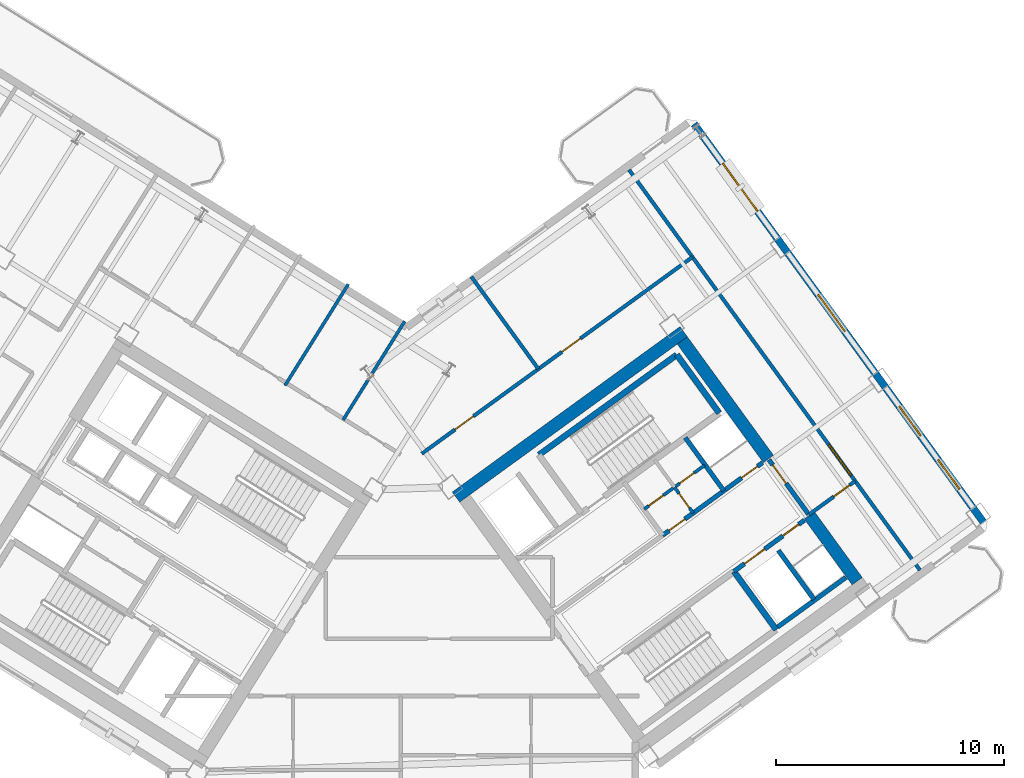
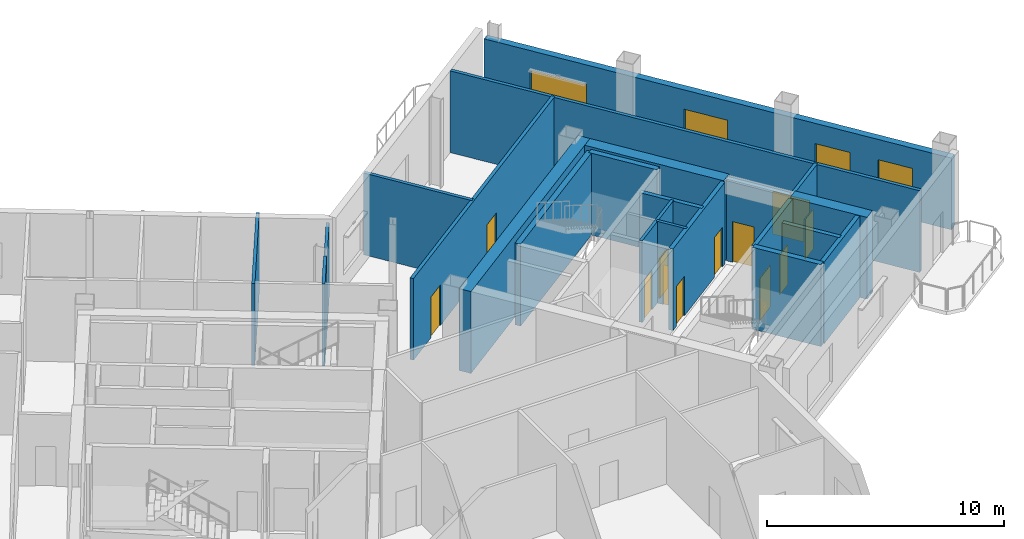
# One storey, part 14 of 20: 22 walls, 12 doors, 4 windows, 16 openings.
"""IFC4 building model written with IfcOpenShell, lengths in metres."""

from ifc_helpers import new_model, si_unit, direction, frame, frame_2d, origin, place, context, subcontext, project, spatial, rectangle, extrude, source, transform, mapped, material, layer, layer_set, type_object, element, fill, save


model = new_model("IFC4")

# Units and contexts
model_context = context("Model", 3, precision=1e-05, world=origin(), true_north=direction((0.0, 1.0)))
body_context = subcontext(model_context, "Body", "Model", "MODEL_VIEW")
ifc_project = project(units=[si_unit("LENGTHUNIT", "METRE"), si_unit("AREAUNIT", "SQUARE_METRE"), si_unit("VOLUMEUNIT", "CUBIC_METRE"), si_unit("PLANEANGLEUNIT", "RADIAN"), si_unit("MASSUNIT", "GRAM", prefix="KILO")], contexts=[model_context])

# Site, building, storey
site_placement = place(None, origin())
site = spatial("IfcSite", under=ifc_project, at=site_placement, CompositionType="ELEMENT")
building_placement = place(site_placement, origin())
building = spatial("IfcBuilding", under=site, at=building_placement, Name="Tlacorven Tower", CompositionType="ELEMENT")
storey_placement = place(building_placement, frame((0.0, 0.0, 195.0)))
storey = spatial("IfcBuildingStorey", under=building, at=storey_placement, Name="L49", CompositionType="ELEMENT", Elevation=195.0)

# Walls
ifc_material_1 = material(Name="Concrete C60/75", Category="concrete")
ifc_layer_1 = layer(ifc_material_1, 0.550048828125)
ifc_layer_set_1 = layer_set([ifc_layer_1], Name="Concrete C60/75")
wall_type_1 = type_object("IfcWallType", Name="WL-COR-550", PredefinedType="SHEAR", material=ifc_layer_set_1)
wall_1_placement = place(storey_placement, frame((44.364990234375, 24.142333984375, 0.0), z_axis=(0.0, 0.0, 1.0), x_axis=(0.809024304885, 0.587775190107, 0.0)))
element("IfcWall", 1, at=wall_1_placement, inside=storey, type_object=wall_type_1, Name="L49 E core shear wall S2", PredefinedType="SHEAR", context=body_context, shape_type="SweptSolid", body=[
    extrude(rectangle(XDim=12.340087890625, YDim=0.550048828125, at=frame_2d((6.169921875, 0.0))), origin(), (0.0, 0.0, 1.0), 4.219970703125),
])
wall_2_placement = place(storey_placement, frame((61.9580078125, 20.453857421875, 0.0), z_axis=(0.0, 0.0, 1.0), x_axis=(-0.587802113096, 0.809004744015, 0.0)))
element("IfcWall", 2, at=wall_2_placement, inside=storey, type_object=wall_type_1, Name="L49 E core end wall E2.1", PredefinedType="SHEAR", context=body_context, shape_type="SweptSolid", body=[
    extrude(rectangle(XDim=3.574951171875, YDim=0.550048828125, at=frame_2d((1.78759765625, 0.0))), origin(), (0.0, 0.0, 1.0), 4.219970703125),
])
wall_3_placement = place(storey_placement, frame((58.06396484375, 25.8134765625, 0.0), z_axis=(0.0, 0.0, 1.0), x_axis=(-0.587764933797, 0.809031756236, 0.0)))
element("IfcWall", 3, at=wall_3_placement, inside=storey, type_object=wall_type_1, Name="L49 E core end wall E2.2", PredefinedType="SHEAR", context=body_context, shape_type="SweptSolid", body=[
    extrude(rectangle(XDim=6.425048828125, YDim=0.550048828125, at=frame_2d((3.21240234375, 0.0))), origin(), (0.0, 0.0, 1.0), 4.219970703125),
])

# Wall, opening, door
ifc_material_2 = material(Name="Gypsum plasterboard acoustic partition", Category="gypsum")
ifc_layer_2 = layer(ifc_material_2, 0.159912109375)
ifc_layer_set_2 = layer_set([ifc_layer_2], Name="Gypsum plasterboard acoustic partition")
wall_type_2 = type_object("IfcWallType", Name="WL-DEM-160", PredefinedType="PARTITIONING", material=ifc_layer_set_2)
wall_4_placement = place(storey_placement, frame((64.708740234375, 20.93798828125, 0.0), z_axis=(0.0, 0.0, 1.0), x_axis=(-0.58777828151, 0.809022058899, 0.0)))
wall_4 = element("IfcWall", 4, at=wall_4_placement, inside=storey, type_object=wall_type_2, Name="L49 partition 79", PredefinedType="PARTITIONING", context=body_context, shape_type="SweptSolid", body=[
    extrude(rectangle(XDim=21.7001953125, YDim=0.159912109375, at=frame_2d((10.85009765625, 0.0))), origin(), (0.0, 0.0, 1.0), 4.2099609375),
])
opening_1_placement = place(wall_4_placement, frame((5.1201171875, 0.0, 0.0)))
opening_1 = element("IfcOpeningElement", 5, at=opening_1_placement, cuts=wall_4, Name="Opening D17", PredefinedType="OPENING", context=body_context, shape_type="SweptSolid", body=[
    extrude(rectangle(XDim=1.699951171875, YDim=2.199951171875, at=frame_2d((0.85009765625, 1.10009765625))), frame((0.0, 0.08984375, 0.0), z_axis=(0.0, -1.0, 0.0), x_axis=(1.0, 0.0, 0.0)), (0.0, 0.0, 1.0), 0.179931640625),
])
ifc_material_3 = material(Name="Fire-rated steel door assembly", Category="steel")
door_type_1 = type_object("IfcDoorType", Name="DR-COM-HALL-1700", OperationType="DOUBLE_DOOR_SINGLE_SWING", PredefinedType="DOOR", material=ifc_material_3)
shared_shape_1 = source(origin(), body_context, "Body", "SweptSolid", [
    extrude(rectangle(XDim=1.699951171875, YDim=2.199951171875, at=frame_2d((0.85009765625, 1.10009765625))), frame((0.0, 0.02490234375, 0.0), z_axis=(0.0, -1.0, 0.0), x_axis=(1.0, 0.0, 0.0)), (0.0, 0.0, 1.0), 0.050048828125),
])
door_1_placement = place(opening_1_placement, origin())
door_1 = element("IfcDoor", 6, at=door_1_placement, inside=storey, type_object=door_type_1, Name="L49 door 050", OperationType="DOUBLE_DOOR_SINGLE_SWING", OverallHeight=2.199951171875, OverallWidth=1.699951171875, PredefinedType="DOOR", context=body_context, shape_type="MappedRepresentation", body=[
    mapped(shared_shape_1, transform((0.0, 0.0, 0.0), scale=1.0)),
])
fill(opening_1, door_1)

wall_5_placement = place(storey_placement, frame((59.839111328125, 23.370361328125, 0.0), z_axis=(0.0, 0.0, 1.0), x_axis=(0.809000999347, 0.58780726693, 0.0)))
wall_5 = element("IfcWall", 7, at=wall_5_placement, inside=storey, type_object=wall_type_2, Name="L49 partition 80", PredefinedType="PARTITIONING", context=body_context, shape_type="SweptSolid", body=[
    extrude(rectangle(XDim=2.510009765625, YDim=0.159912109375, at=frame_2d((1.2548828125, 0.0))), origin(), (0.0, 0.0, 1.0), 4.2099609375),
])
opening_2_placement = place(wall_5_placement, frame((1.35009765625, 0.0, 0.0)))
opening_2 = element("IfcOpeningElement", 8, at=opening_2_placement, cuts=wall_5, Name="Opening D19", PredefinedType="OPENING", context=body_context, shape_type="SweptSolid", body=[
    extrude(rectangle(XDim=0.860107421875, YDim=2.050048828125, at=frame_2d((0.43017578125, 1.02490234375))), frame((0.0, 0.08984375, 0.0), z_axis=(0.0, -1.0, 0.0), x_axis=(1.0, 0.0, 0.0)), (0.0, 0.0, 1.0), 0.179931640625),
])
door_type_2 = type_object("IfcDoorType", Name="DR-RSR-FD60-0860", OperationType="NOTDEFINED", PredefinedType="DOOR", material=ifc_material_3)
shared_shape_2 = source(origin(), body_context, "Body", "SweptSolid", [
    extrude(rectangle(XDim=0.860107421875, YDim=2.050048828125, at=frame_2d((0.43017578125, 1.02490234375))), frame((0.0, 0.02490234375, 0.0), z_axis=(0.0, -1.0, 0.0), x_axis=(1.0, 0.0, 0.0)), (0.0, 0.0, 1.0), 0.050048828125),
])
door_2_placement = place(opening_2_placement, frame((0.860107421875, 0.0, 0.0), z_axis=(0.0, 0.0, 1.0), x_axis=(-1.0, 0.0, 0.0)))
door_2 = element("IfcDoor", 9, at=door_2_placement, inside=storey, type_object=door_type_2, Name="L49 door 048", OperationType="SINGLE_SWING_RIGHT", OverallHeight=2.050048828125, OverallWidth=0.860107421875, PredefinedType="DOOR", context=body_context, shape_type="MappedRepresentation", body=[
    mapped(shared_shape_2, transform((0.0, 0.0, 0.0), scale=1.0)),
])
fill(opening_2, door_2)

# Wall, openings, doors
wall_6_placement = place(storey_placement, frame((42.86572265625, 26.04443359375, 0.0), z_axis=(0.0, 0.0, 1.0), x_axis=(0.809020254154, 0.587780765566, 0.0)))
wall_6 = element("IfcWall", 10, at=wall_6_placement, inside=storey, type_object=wall_type_2, Name="L49 partition 82", PredefinedType="PARTITIONING", context=body_context, shape_type="SweptSolid", body=[
    extrude(rectangle(XDim=14.670166015625, YDim=0.159912109375, at=frame_2d((7.3349609375, 0.0))), origin(), (0.0, 0.0, 1.0), 4.2099609375),
])
opening_3_placement = place(wall_6_placement, frame((1.800048828125, 0.0, 0.0)))
opening_3 = element("IfcOpeningElement", 11, at=opening_3_placement, cuts=wall_6, Name="Opening D11", PredefinedType="OPENING", context=body_context, shape_type="SweptSolid", body=[
    extrude(rectangle(XDim=1.0, YDim=2.10009765625, at=frame_2d((0.5, 1.050048828125))), frame((0.0, 0.08984375, 0.0), z_axis=(0.0, -1.0, 0.0), x_axis=(1.0, 0.0, 0.0)), (0.0, 0.0, 1.0), 0.179931640625),
])
opening_4_placement = place(wall_6_placement, frame((7.60009765625, 0.0, 0.0)))
opening_4 = element("IfcOpeningElement", 12, at=opening_4_placement, cuts=wall_6, Name="Opening D11", PredefinedType="OPENING", context=body_context, shape_type="SweptSolid", body=[
    extrude(rectangle(XDim=1.0, YDim=2.10009765625, at=frame_2d((0.5, 1.050048828125))), frame((0.0, 0.08984375, 0.0), z_axis=(0.0, -1.0, 0.0), x_axis=(1.0, 0.0, 0.0)), (0.0, 0.0, 1.0), 0.179931640625),
])
door_type_3 = type_object("IfcDoorType", Name="DR-FLT-FD60-1000", OperationType="NOTDEFINED", PredefinedType="DOOR", material=ifc_material_3)
shared_shape_3 = source(origin(), body_context, "Body", "SweptSolid", [
    extrude(rectangle(XDim=1.0, YDim=2.10009765625, at=frame_2d((0.5, 1.050048828125))), frame((0.0, 0.02490234375, 0.0), z_axis=(0.0, -1.0, 0.0), x_axis=(1.0, 0.0, 0.0)), (0.0, 0.0, 1.0), 0.050048828125),
])
door_3_placement = place(opening_3_placement, origin())
door_3 = element("IfcDoor", 13, at=door_3_placement, inside=storey, type_object=door_type_3, Name="L49 door 051", OperationType="SINGLE_SWING_RIGHT", OverallHeight=2.10009765625, OverallWidth=1.0, PredefinedType="DOOR", context=body_context, shape_type="MappedRepresentation", body=[
    mapped(shared_shape_3, transform((0.0, 0.0, 0.0), scale=1.0)),
])
fill(opening_3, door_3)
door_4_placement = place(opening_4_placement, origin())
door_4 = element("IfcDoor", 14, at=door_4_placement, inside=storey, type_object=door_type_3, Name="L49 door 052", OperationType="SINGLE_SWING_LEFT", OverallHeight=2.10009765625, OverallWidth=1.0, PredefinedType="DOOR", context=body_context, shape_type="MappedRepresentation", body=[
    mapped(shared_shape_3, transform((0.0, 0.0, 0.0), scale=1.0)),
])
fill(opening_4, door_4)

# Wall
wall_7_placement = place(storey_placement, frame((47.978759765625, 29.759033203125, 0.0), z_axis=(0.0, 0.0, 1.0), x_axis=(-0.587782595105, 0.809018924928, 0.0)))
element("IfcWall", 15, at=wall_7_placement, inside=storey, type_object=wall_type_2, Name="L49 partition 83", PredefinedType="PARTITIONING", context=body_context, shape_type="SweptSolid", body=[
    extrude(rectangle(XDim=5.0, YDim=0.159912109375, at=frame_2d((2.5, 0.0))), origin(), (0.0, 0.0, 1.0), 4.2099609375),
])

# Wall, openings, windows
ifc_material_4 = material(Name="Precast concrete C45/55", Category="concrete")
ifc_layer_3 = layer(ifc_material_4, 0.320068359375)
ifc_layer_set_3 = layer_set([ifc_layer_3], Name="Precast concrete C45/55")
wall_type_3 = type_object("IfcWallType", Name="WL-EXT-320", PredefinedType="STANDARD", material=ifc_layer_set_3)
wall_8_placement = place(storey_placement, frame((54.810302734375, 40.49951171875, 0.0), z_axis=(0.0, 0.0, 1.0), x_axis=(0.587783625747, -0.809018176127, 0.0)))
wall_8 = element("IfcWall", 16, at=wall_8_placement, inside=storey, type_object=wall_type_3, Name="L49 Masonry-Frame Recessed Facade Wall 5", PredefinedType="STANDARD", context=body_context, shape_type="SweptSolid", body=[
    extrude(rectangle(XDim=21.58740234375, YDim=0.320068359375, at=frame_2d((10.793701171875, 0.0))), origin(), (0.0, 0.0, 1.0), 3.695068359375),
])
opening_5_placement = place(wall_8_placement, frame((2.131103515625, 0.0, 0.699951171875)))
opening_5 = element("IfcOpeningElement", 17, at=opening_5_placement, cuts=wall_8, Name="Opening WN10", PredefinedType="OPENING", context=body_context, shape_type="SweptSolid", body=[
    extrude(rectangle(XDim=2.60009765625, YDim=2.0, at=frame_2d((1.300048828125, 1.0))), frame((0.0, 0.169921875, 0.0), z_axis=(0.0, -1.0, 0.0), x_axis=(1.0, 0.0, 0.0)), (0.0, 0.0, 1.0), 0.340087890625),
])
opening_6_placement = place(wall_8_placement, frame((9.24365234375, 0.0, 0.75)))
opening_6 = element("IfcOpeningElement", 18, at=opening_6_placement, cuts=wall_8, Name="Opening WN11", PredefinedType="OPENING", context=body_context, shape_type="SweptSolid", body=[
    extrude(rectangle(XDim=2.0, YDim=1.949951171875, at=frame_2d((1.0, 0.97509765625))), frame((0.0, 0.169921875, 0.0), z_axis=(0.0, -1.0, 0.0), x_axis=(1.0, 0.0, 0.0)), (0.0, 0.0, 1.0), 0.340087890625),
])
opening_7_placement = place(wall_8_placement, frame((15.293701171875, 0.0, 0.85009765625)))
opening_7 = element("IfcOpeningElement", 19, at=opening_7_placement, cuts=wall_8, Name="Opening WN12", PredefinedType="OPENING", context=body_context, shape_type="SweptSolid", body=[
    extrude(rectangle(XDim=1.60009765625, YDim=1.800048828125, at=frame_2d((0.800048828125, 0.89990234375))), frame((0.0, 0.169921875, 0.0), z_axis=(0.0, -1.0, 0.0), x_axis=(1.0, 0.0, 0.0)), (0.0, 0.0, 1.0), 0.340087890625),
])
opening_8_placement = place(wall_8_placement, frame((18.193603515625, 0.0, 0.85009765625)))
opening_8 = element("IfcOpeningElement", 20, at=opening_8_placement, cuts=wall_8, Name="Opening WN12", PredefinedType="OPENING", context=body_context, shape_type="SweptSolid", body=[
    extrude(rectangle(XDim=1.60009765625, YDim=1.800048828125, at=frame_2d((0.800048828125, 0.89990234375))), frame((0.0, 0.169921875, 0.0), z_axis=(0.0, -1.0, 0.0), x_axis=(1.0, 0.0, 0.0)), (0.0, 0.0, 1.0), 0.340087890625),
])
ifc_material_5 = material(Name="Dark solar low-E double glazing in anodised aluminium frame", Category="aluminium")
window_type_1 = type_object("IfcWindowType", Name="WN-COM-2600X2200", PartitioningType="SINGLE_PANEL", PredefinedType="WINDOW", material=ifc_material_5)
shared_shape_4 = source(origin(), body_context, "Body", "SweptSolid", [
    extrude(rectangle(XDim=2.60009765625, YDim=2.0, at=frame_2d((1.300048828125, 1.0))), frame((0.0, 0.030029296875, 0.0), z_axis=(0.0, -1.0, 0.0), x_axis=(1.0, 0.0, 0.0)), (0.0, 0.0, 1.0), 0.06005859375),
])
window_1_placement = place(opening_5_placement, origin())
window_1 = element("IfcWindow", 21, at=window_1_placement, inside=storey, type_object=window_type_1, Name="L49 Recessed Masonry-Frame Window L49-05.1", OverallHeight=2.0, OverallWidth=2.60009765625, PartitioningType="SINGLE_PANEL", PredefinedType="WINDOW", context=body_context, shape_type="MappedRepresentation", body=[
    mapped(shared_shape_4, transform((0.0, 0.0, 0.0), scale=1.0)),
])
fill(opening_5, window_1)
window_type_2 = type_object("IfcWindowType", Name="WN-COM-1600X1900", PartitioningType="SINGLE_PANEL", PredefinedType="WINDOW", material=ifc_material_5)
shared_shape_5 = source(origin(), body_context, "Body", "SweptSolid", [
    extrude(rectangle(XDim=1.60009765625, YDim=1.800048828125, at=frame_2d((0.800048828125, 0.89990234375))), frame((0.0, 0.030029296875, 0.0), z_axis=(0.0, -1.0, 0.0), x_axis=(1.0, 0.0, 0.0)), (0.0, 0.0, 1.0), 0.06005859375),
])
window_2_placement = place(opening_7_placement, origin())
window_2 = element("IfcWindow", 22, at=window_2_placement, inside=storey, type_object=window_type_2, Name="L49 Recessed Masonry-Frame Window L49-05.3", OverallHeight=1.800048828125, OverallWidth=1.60009765625, PartitioningType="SINGLE_PANEL", PredefinedType="WINDOW", context=body_context, shape_type="MappedRepresentation", body=[
    mapped(shared_shape_5, transform((0.0, 0.0, 0.0), scale=1.0)),
])
fill(opening_7, window_2)
window_3_placement = place(opening_8_placement, origin())
window_3 = element("IfcWindow", 23, at=window_3_placement, inside=storey, type_object=window_type_2, Name="L49 Recessed Masonry-Frame Window L49-05.4", OverallHeight=1.800048828125, OverallWidth=1.60009765625, PartitioningType="SINGLE_PANEL", PredefinedType="WINDOW", context=body_context, shape_type="MappedRepresentation", body=[
    mapped(shared_shape_5, transform((0.0, 0.0, 0.0), scale=1.0)),
])
fill(opening_8, window_3)
window_type_3 = type_object("IfcWindowType", Name="WN-COM-2000X2100", PartitioningType="SINGLE_PANEL", PredefinedType="WINDOW", material=ifc_material_5)
shared_shape_6 = source(origin(), body_context, "Body", "SweptSolid", [
    extrude(rectangle(XDim=2.0, YDim=1.949951171875, at=frame_2d((1.0, 0.97509765625))), frame((0.0, 0.030029296875, 0.0), z_axis=(0.0, -1.0, 0.0), x_axis=(1.0, 0.0, 0.0)), (0.0, 0.0, 1.0), 0.06005859375),
])
window_4_placement = place(opening_6_placement, origin())
window_4 = element("IfcWindow", 24, at=window_4_placement, inside=storey, type_object=window_type_3, Name="L49 Recessed Masonry-Frame Window L49-05.2", OverallHeight=1.949951171875, OverallWidth=2.0, PartitioningType="SINGLE_PANEL", PredefinedType="WINDOW", context=body_context, shape_type="MappedRepresentation", body=[
    mapped(shared_shape_6, transform((0.0, 0.0, 0.0), scale=1.0)),
])
fill(opening_6, window_4)

# Wall, opening, door
ifc_material_6 = material(Name="Moisture-resistant gypsum plumbing wall", Category="gypsum")
ifc_layer_4 = layer(ifc_material_6, 0.139892578125)
ifc_layer_set_4 = layer_set([ifc_layer_4], Name="Moisture-resistant gypsum plumbing wall")
wall_type_4 = type_object("IfcWallType", Name="WL-PLM-140", PredefinedType="PLUMBINGWALL", material=ifc_layer_set_4)
wall_9_placement = place(storey_placement, frame((54.767578125, 23.443359375, 0.0), z_axis=(0.0, 0.0, 1.0), x_axis=(-0.587736077749, 0.809052719489, 0.0)))
wall_9 = element("IfcWall", 25, at=wall_9_placement, inside=storey, type_object=wall_type_4, Name="L49 partition 42", PredefinedType="PLUMBINGWALL", context=body_context, shape_type="SweptSolid", body=[
    extrude(rectangle(XDim=1.39990234375, YDim=0.139892578125, at=frame_2d((0.699951171875, 0.0))), origin(), (0.0, 0.0, 1.0), 4.2099609375),
])
opening_9_placement = place(wall_9_placement, frame((0.280029296875, 0.0, 0.0)))
opening_9 = element("IfcOpeningElement", 26, at=opening_9_placement, cuts=wall_9, Name="Opening D22", PredefinedType="OPENING", context=body_context, shape_type="SweptSolid", body=[
    extrude(rectangle(XDim=0.780029296875, YDim=2.050048828125, at=frame_2d((0.39013671875, 1.02490234375))), frame((0.0, 0.080078125, 0.0), z_axis=(0.0, -1.0, 0.0), x_axis=(1.0, 0.0, 0.0)), (0.0, 0.0, 1.0), 0.159912109375),
])
ifc_material_7 = material(Name="Powder-coated aluminium and timber door", Category="wood")
door_type_4 = type_object("IfcDoorType", Name="DR-INT-WET-0780", OperationType="NOTDEFINED", PredefinedType="DOOR", material=ifc_material_7)
shared_shape_7 = source(origin(), body_context, "Body", "SweptSolid", [
    extrude(rectangle(XDim=0.780029296875, YDim=2.050048828125, at=frame_2d((0.39013671875, 1.02490234375))), frame((0.0, 0.02490234375, 0.0), z_axis=(0.0, -1.0, 0.0), x_axis=(1.0, 0.0, 0.0)), (0.0, 0.0, 1.0), 0.050048828125),
])
door_5_placement = place(opening_9_placement, origin())
door_5 = element("IfcDoor", 27, at=door_5_placement, inside=storey, type_object=door_type_4, Name="L49 door 020", OperationType="SINGLE_SWING_LEFT", OverallHeight=2.050048828125, OverallWidth=0.780029296875, PredefinedType="DOOR", context=body_context, shape_type="MappedRepresentation", body=[
    mapped(shared_shape_7, transform((0.0, 0.0, 0.0), scale=1.0)),
])
fill(opening_9, door_5)

# Wall, openings, doors
wall_10_placement = place(storey_placement, frame((52.617919921875, 23.612060546875, 0.0), z_axis=(0.0, 0.0, 1.0), x_axis=(0.809009587469, 0.587795446889, 0.0)))
wall_10 = element("IfcWall", 28, at=wall_10_placement, inside=storey, type_object=wall_type_4, Name="L49 partition 44", PredefinedType="PLUMBINGWALL", context=body_context, shape_type="SweptSolid", body=[
    extrude(rectangle(XDim=3.280029296875, YDim=0.139892578125, at=frame_2d((1.64013671875, 0.0))), origin(), (0.0, 0.0, 1.0), 4.2099609375),
])
opening_10_placement = place(wall_10_placement, frame((0.25, 0.0, 0.0)))
opening_10 = element("IfcOpeningElement", 29, at=opening_10_placement, cuts=wall_10, Name="Opening D22", PredefinedType="OPENING", context=body_context, shape_type="SweptSolid", body=[
    extrude(rectangle(XDim=0.780029296875, YDim=2.050048828125, at=frame_2d((0.39013671875, 1.02490234375))), frame((0.0, 0.080078125, 0.0), z_axis=(0.0, -1.0, 0.0), x_axis=(1.0, 0.0, 0.0)), (0.0, 0.0, 1.0), 0.159912109375),
])
opening_11_placement = place(wall_10_placement, frame((1.919921875, 0.0, 0.0)))
opening_11 = element("IfcOpeningElement", 30, at=opening_11_placement, cuts=wall_10, Name="Opening D22", PredefinedType="OPENING", context=body_context, shape_type="SweptSolid", body=[
    extrude(rectangle(XDim=0.780029296875, YDim=2.050048828125, at=frame_2d((0.39013671875, 1.02490234375))), frame((0.0, 0.080078125, 0.0), z_axis=(0.0, -1.0, 0.0), x_axis=(1.0, 0.0, 0.0)), (0.0, 0.0, 1.0), 0.159912109375),
])
door_6_placement = place(opening_10_placement, origin())
door_6 = element("IfcDoor", 31, at=door_6_placement, inside=storey, type_object=door_type_4, Name="L49 door 021", OperationType="SINGLE_SWING_RIGHT", OverallHeight=2.050048828125, OverallWidth=0.780029296875, PredefinedType="DOOR", context=body_context, shape_type="MappedRepresentation", body=[
    mapped(shared_shape_7, transform((0.0, 0.0, 0.0), scale=1.0)),
])
fill(opening_10, door_6)
door_7_placement = place(opening_11_placement, origin())
door_7 = element("IfcDoor", 32, at=door_7_placement, inside=storey, type_object=door_type_4, Name="L49 door 022", OperationType="SINGLE_SWING_LEFT", OverallHeight=2.050048828125, OverallWidth=0.780029296875, PredefinedType="DOOR", context=body_context, shape_type="MappedRepresentation", body=[
    mapped(shared_shape_7, transform((0.0, 0.0, 0.0), scale=1.0)),
])
fill(opening_11, door_7)

# Walls
wall_11_placement = place(storey_placement, frame((42.118896484375, 31.8525390625, 0.0), z_axis=(0.0, 0.0, 1.0), x_axis=(-0.529933506458, -0.848039196461, 0.0)))
element("IfcWall", 33, at=wall_11_placement, inside=storey, type_object=wall_type_4, Name="L49 partition 57", PredefinedType="PLUMBINGWALL", context=body_context, shape_type="SweptSolid", body=[
    extrude(rectangle(XDim=2.68310546875, YDim=0.139892578125, at=frame_2d((1.341552734375, 0.0))), origin(), (0.0, 0.0, 1.0), 3.804931640625),
])
wall_12_placement = place(storey_placement, frame((40.511962890625, 29.28076171875, 0.0), z_axis=(0.0, 0.0, 1.0), x_axis=(-0.529935255849, -0.848038103276, 0.0)))
element("IfcWall", 34, at=wall_12_placement, inside=storey, type_object=wall_type_4, Name="L49 partition 57", PredefinedType="PLUMBINGWALL", context=body_context, shape_type="SweptSolid", body=[
    extrude(rectangle(XDim=2.067626953125, YDim=0.139892578125, at=frame_2d((1.03369140625, 0.0))), origin(), (0.0, 0.0, 1.0), 4.2099609375),
])
wall_13_placement = place(storey_placement, frame((39.645751953125, 33.48046875, 0.0), z_axis=(0.0, 0.0, 1.0), x_axis=(-0.529923555071, -0.848045414928, 0.0)))
element("IfcWall", 35, at=wall_13_placement, inside=storey, type_object=wall_type_4, Name="L49 partition 59", PredefinedType="PLUMBINGWALL", context=body_context, shape_type="SweptSolid", body=[
    extrude(rectangle(XDim=5.239990234375, YDim=0.139892578125, at=frame_2d((2.6201171875, 0.0))), origin(), (0.0, 0.0, 1.0), 4.2099609375),
])

# Wall, openings, doors
ifc_material_8 = material(Name="Concrete C40/50", Category="concrete")
ifc_layer_5 = layer(ifc_material_8, 0.199951171875)
ifc_layer_set_5 = layer_set([ifc_layer_5], Name="Concrete C40/50")
wall_type_5 = type_object("IfcWallType", Name="WL-SHF-200", PredefinedType="STANDARD", material=ifc_layer_set_5)
wall_14_placement = place(storey_placement, frame((56.552978515625, 20.884033203125, 0.0), z_axis=(0.0, 0.0, 1.0), x_axis=(0.809023564264, 0.58777620951, 0.0)))
wall_14 = element("IfcWall", 36, at=wall_14_placement, inside=storey, type_object=wall_type_5, Name="L49 Core E South Lift Shaft Wall", PredefinedType="STANDARD", context=body_context, shape_type="SweptSolid", body=[
    extrude(rectangle(XDim=3.818115234375, YDim=0.199951171875, at=frame_2d((1.9091796875, 0.0))), origin(), (0.0, 0.0, 1.0), 4.2099609375),
])
opening_12_placement = place(wall_14_placement, frame((0.570068359375, 0.0, 0.0)))
opening_12 = element("IfcOpeningElement", 37, at=opening_12_placement, cuts=wall_14, Name="Opening LD01", PredefinedType="OPENING", context=body_context, shape_type="SweptSolid", body=[
    extrude(rectangle(XDim=1.10009765625, YDim=2.14990234375, at=frame_2d((0.550048828125, 1.074951171875))), frame((0.0, 0.10986328125, 0.0), z_axis=(0.0, -1.0, 0.0), x_axis=(1.0, 0.0, 0.0)), (0.0, 0.0, 1.0), 0.219970703125),
])
opening_13_placement = place(wall_14_placement, frame((2.64990234375, 0.0, 0.0)))
opening_13 = element("IfcOpeningElement", 38, at=opening_13_placement, cuts=wall_14, Name="Opening D19", PredefinedType="OPENING", context=body_context, shape_type="SweptSolid", body=[
    extrude(rectangle(XDim=0.860107421875, YDim=2.050048828125, at=frame_2d((0.43017578125, 1.02490234375))), frame((0.0, 0.10986328125, 0.0), z_axis=(0.0, -1.0, 0.0), x_axis=(1.0, 0.0, 0.0)), (0.0, 0.0, 1.0), 0.219970703125),
])
door_8_placement = place(opening_13_placement, origin())
door_8 = element("IfcDoor", 39, at=door_8_placement, inside=storey, type_object=door_type_2, Name="L49 Smoke Extract Riser Access Door", OperationType="SINGLE_SWING_RIGHT", OverallHeight=2.050048828125, OverallWidth=0.860107421875, PredefinedType="DOOR", context=body_context, shape_type="MappedRepresentation", body=[
    mapped(shared_shape_2, transform((0.0, 0.0, 0.0), scale=1.0)),
])
fill(opening_13, door_8)
door_type_5 = type_object("IfcDoorType", Name="DR-LFT-SLID-1100", OperationType="DOUBLE_DOOR_SLIDING", PredefinedType="DOOR", material=ifc_material_3)
shared_shape_8 = source(origin(), body_context, "Body", "SweptSolid", [
    extrude(rectangle(XDim=1.10009765625, YDim=2.14990234375, at=frame_2d((0.550048828125, 1.074951171875))), frame((0.0, 0.02490234375, 0.0), z_axis=(0.0, -1.0, 0.0), x_axis=(1.0, 0.0, 0.0)), (0.0, 0.0, 1.0), 0.050048828125),
])
door_9_placement = place(opening_12_placement, origin())
door_9 = element("IfcDoor", 40, at=door_9_placement, inside=storey, type_object=door_type_5, Name="L49 Lift PL-M4 Sliding Landing Door", OperationType="DOUBLE_DOOR_SLIDING", OverallHeight=2.14990234375, OverallWidth=1.10009765625, PredefinedType="DOOR", context=body_context, shape_type="MappedRepresentation", body=[
    mapped(shared_shape_8, transform((0.0, 0.0, 0.0), scale=1.0)),
])
fill(opening_12, door_9)

# Walls
wall_15_placement = place(storey_placement, frame((60.066650390625, 19.654541015625, 0.0), z_axis=(0.0, 0.0, 1.0), x_axis=(-0.587800520745, 0.809005900975, 0.0)))
element("IfcWall", 41, at=wall_15_placement, inside=storey, type_object=wall_type_5, Name="L49 partition 35", PredefinedType="STANDARD", context=body_context, shape_type="SweptSolid", body=[
    extrude(rectangle(XDim=2.659912109375, YDim=0.199951171875, at=frame_2d((1.330078125, 0.0))), origin(), (0.0, 0.0, 1.0), 4.2099609375),
])
wall_16_placement = place(storey_placement, frame((58.47216796875, 18.446533203125, 0.0), z_axis=(0.0, 0.0, 1.0), x_axis=(0.809018631237, 0.587782999339, 0.0)))
element("IfcWall", 42, at=wall_16_placement, inside=storey, type_object=wall_type_5, Name="L49 partition 37", PredefinedType="STANDARD", context=body_context, shape_type="SweptSolid", body=[
    extrude(rectangle(XDim=3.697998046875, YDim=0.199951171875, at=frame_2d((1.84912109375, 0.0))), origin(), (0.0, 0.0, 1.0), 4.2099609375),
])
wall_17_placement = place(storey_placement, frame((56.110595703125, 24.4189453125, 0.0), z_axis=(0.0, 0.0, 1.0), x_axis=(-0.58777848983, 0.809021907548, 0.0)))
element("IfcWall", 43, at=wall_17_placement, inside=storey, type_object=wall_type_5, Name="L49 partition 40", PredefinedType="STANDARD", context=body_context, shape_type="SweptSolid", body=[
    extrude(rectangle(XDim=2.880126953125, YDim=0.199951171875, at=frame_2d((1.43994140625, 0.0))), origin(), (0.0, 0.0, 1.0), 4.2099609375),
])

# Wall, openings, doors
wall_18_placement = place(storey_placement, frame((53.424560546875, 22.467529296875, 0.0), z_axis=(0.0, 0.0, 1.0), x_axis=(0.809024377198, 0.587775090574, 0.0)))
wall_18 = element("IfcWall", 44, at=wall_18_placement, inside=storey, type_object=wall_type_5, Name="L49 Core E North Service Wall", PredefinedType="STANDARD", context=body_context, shape_type="SweptSolid", body=[
    extrude(rectangle(XDim=5.41796875, YDim=0.199951171875, at=frame_2d((2.708984375, 0.0))), origin(), (0.0, 0.0, 1.0), 4.2099609375),
])
opening_14_placement = place(wall_18_placement, frame((4.280029296875, 0.0, 0.0)))
opening_14 = element("IfcOpeningElement", 45, at=opening_14_placement, cuts=wall_18, Name="Opening D19", PredefinedType="OPENING", context=body_context, shape_type="SweptSolid", body=[
    extrude(rectangle(XDim=0.860107421875, YDim=2.050048828125, at=frame_2d((0.43017578125, 1.02490234375))), frame((0.0, 0.10986328125, 0.0), z_axis=(0.0, -1.0, 0.0), x_axis=(1.0, 0.0, 0.0)), (0.0, 0.0, 1.0), 0.219970703125),
])
opening_15_placement = place(wall_18_placement, frame((0.35009765625, 0.0, 0.0)))
opening_15 = element("IfcOpeningElement", 46, at=opening_15_placement, cuts=wall_18, Name="Opening D19", PredefinedType="OPENING", context=body_context, shape_type="SweptSolid", body=[
    extrude(rectangle(XDim=0.860107421875, YDim=2.050048828125, at=frame_2d((0.43017578125, 1.02490234375))), frame((0.0, 0.10986328125, 0.0), z_axis=(0.0, -1.0, 0.0), x_axis=(1.0, 0.0, 0.0)), (0.0, 0.0, 1.0), 0.219970703125),
])
door_10_placement = place(opening_14_placement, frame((0.860107421875, 0.0, 0.0), z_axis=(0.0, 0.0, 1.0), x_axis=(-1.0, 0.0, 0.0)))
door_10 = element("IfcDoor", 47, at=door_10_placement, inside=storey, type_object=door_type_2, Name="L49 Electrical Riser Access Door E", OperationType="SINGLE_SWING_LEFT", OverallHeight=2.050048828125, OverallWidth=0.860107421875, PredefinedType="DOOR", context=body_context, shape_type="MappedRepresentation", body=[
    mapped(shared_shape_2, transform((0.0, 0.0, 0.0), scale=1.0)),
])
fill(opening_14, door_10)
door_11_placement = place(opening_15_placement, frame((0.860107421875, 0.0, 0.0), z_axis=(0.0, 0.0, 1.0), x_axis=(-1.0, 0.0, 0.0)))
door_11 = element("IfcDoor", 48, at=door_11_placement, inside=storey, type_object=door_type_2, Name="L49 Cleaning Room Access Door E", OperationType="SINGLE_SWING_RIGHT", OverallHeight=2.050048828125, OverallWidth=0.860107421875, PredefinedType="DOOR", context=body_context, shape_type="MappedRepresentation", body=[
    mapped(shared_shape_2, transform((0.0, 0.0, 0.0), scale=1.0)),
])
fill(opening_15, door_11)

# Wall, opening, door
wall_19_placement = place(storey_placement, frame((59.827392578125, 23.386474609375, 0.0), z_axis=(0.0, 0.0, 1.0), x_axis=(-0.587803840107, 0.809003489211, 0.0)))
wall_19 = element("IfcWall", 49, at=wall_19_placement, inside=storey, type_object=wall_type_5, Name="L49 partition 78", PredefinedType="STANDARD", context=body_context, shape_type="SweptSolid", body=[
    extrude(rectangle(XDim=2.960205078125, YDim=0.199951171875, at=frame_2d((1.47998046875, 0.0))), origin(), (0.0, 0.0, 1.0), 4.2099609375),
])
opening_16_placement = place(wall_19_placement, frame((1.679931640625, 0.0, 0.0)))
opening_16 = element("IfcOpeningElement", 50, at=opening_16_placement, cuts=wall_19, Name="Opening D11", PredefinedType="OPENING", context=body_context, shape_type="SweptSolid", body=[
    extrude(rectangle(XDim=1.0, YDim=2.10009765625, at=frame_2d((0.5, 1.050048828125))), frame((0.0, 0.10986328125, 0.0), z_axis=(0.0, -1.0, 0.0), x_axis=(1.0, 0.0, 0.0)), (0.0, 0.0, 1.0), 0.219970703125),
])
door_12_placement = place(opening_16_placement, origin())
door_12 = element("IfcDoor", 51, at=door_12_placement, inside=storey, type_object=door_type_3, Name="L49 door 049", OperationType="SINGLE_SWING_LEFT", OverallHeight=2.10009765625, OverallWidth=1.0, PredefinedType="DOOR", context=body_context, shape_type="MappedRepresentation", body=[
    mapped(shared_shape_3, transform((0.0, 0.0, 0.0), scale=1.0)),
])
fill(opening_16, door_12)

# Walls
ifc_material_9 = material(Name="Concrete C50/60", Category="concrete")
ifc_layer_6 = layer(ifc_material_9, 0.260009765625)
ifc_layer_set_6 = layer_set([ifc_layer_6], Name="Concrete C50/60")
wall_type_6 = type_object("IfcWallType", Name="WL-STW-260", PredefinedType="SHEAR", material=ifc_layer_set_6)
wall_20_placement = place(storey_placement, frame((48.005615234375, 25.996337890625, 0.0), z_axis=(0.0, 0.0, 1.0), x_axis=(0.80901903764, 0.587782439969, 0.0)))
element("IfcWall", 52, at=wall_20_placement, inside=storey, type_object=wall_type_6, Name="L49 Stair E1 Far Shear Wall", PredefinedType="SHEAR", context=body_context, shape_type="SweptSolid", body=[
    extrude(rectangle(XDim=7.4599609375, YDim=0.260009765625, at=frame_2d((3.72998046875, 0.0))), origin(), (0.0, 0.0, 1.0), 4.219970703125),
])
wall_21_placement = place(storey_placement, frame((55.906494140625, 27.83056640625, 0.0), z_axis=(0.0, 0.0, 1.0), x_axis=(-0.587804123638, 0.809003283204, 0.0)))
element("IfcWall", 53, at=wall_21_placement, inside=storey, type_object=wall_type_6, Name="L49 Stair E1 East Shear Wall", PredefinedType="SHEAR", context=body_context, shape_type="SweptSolid", body=[
    extrude(rectangle(XDim=3.159912109375, YDim=0.260009765625, at=frame_2d((1.580078125, 0.0))), origin(), (0.0, 0.0, 1.0), 4.219970703125),
])
wall_22_placement = place(storey_placement, frame((58.410400390625, 18.327392578125, 0.0), z_axis=(0.0, 0.0, 1.0), x_axis=(-0.58776738483, 0.809029975545, 0.0)))
element("IfcWall", 54, at=wall_22_placement, inside=storey, type_object=wall_type_6, Name="L49 Stair E2 East Shear Wall", PredefinedType="SHEAR", context=body_context, shape_type="SweptSolid", body=[
    extrude(rectangle(XDim=3.16015625, YDim=0.260009765625, at=frame_2d((1.580078125, 0.0))), origin(), (0.0, 0.0, 1.0), 4.219970703125),
])

save(model, "model.ifc")
